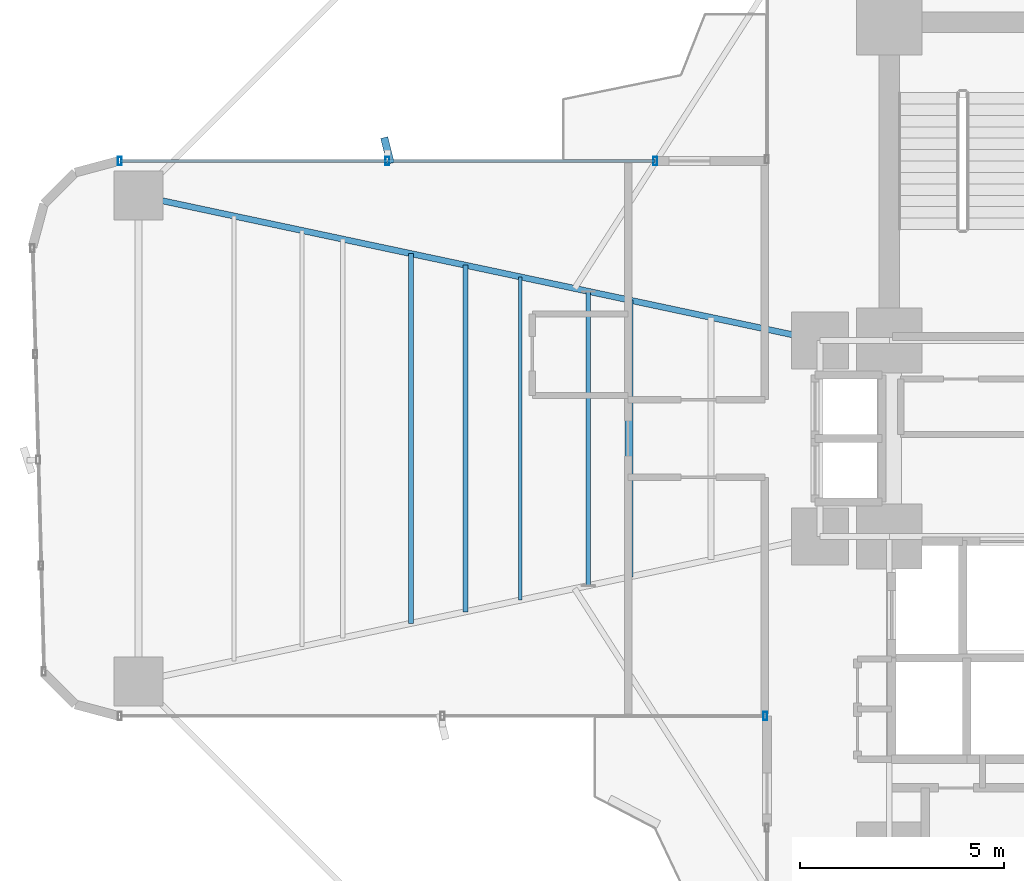
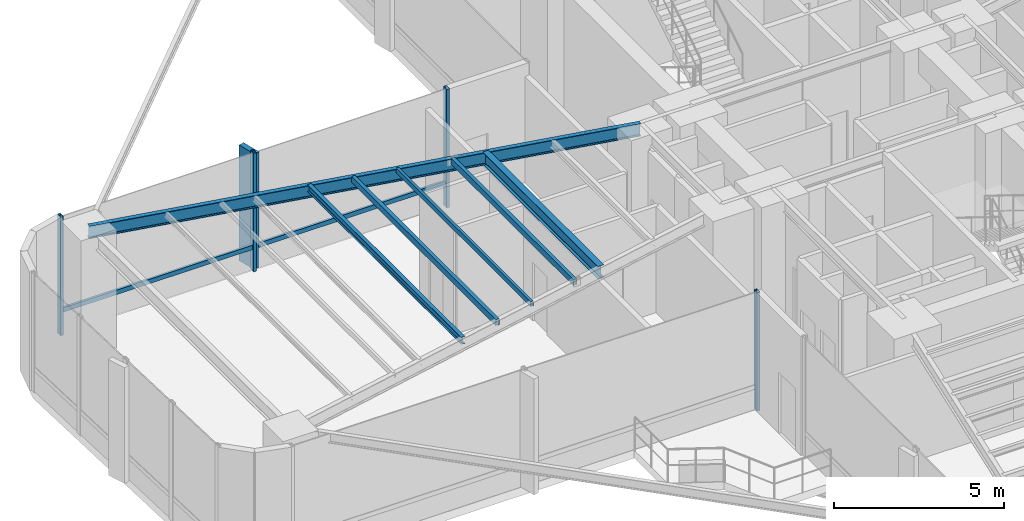
# One storey, part 6 of 20: 7 members, 6 beams, 2 elements without a shape of their own.
"""IFC4 building model written with IfcOpenShell, lengths in metres."""

from ifc_helpers import new_model, si_unit, direction, frame, origin, origin_2d, place, context, subcontext, project, spatial, rectangle, hollow_rectangle, i_section, extrude, source, transform, mapped, material, material_profile, profile_set, type_object, element, aggregate, save


model = new_model("IFC4")

# Units and contexts
model_context = context("Model", 3, precision=1e-05, world=origin(), true_north=direction((0.0, 1.0)))
body_context = subcontext(model_context, "Body", "Model", "MODEL_VIEW")
ifc_project = project(units=[si_unit("LENGTHUNIT", "METRE"), si_unit("AREAUNIT", "SQUARE_METRE"), si_unit("VOLUMEUNIT", "CUBIC_METRE"), si_unit("PLANEANGLEUNIT", "RADIAN"), si_unit("MASSUNIT", "GRAM", prefix="KILO")], contexts=[model_context])

# Site, building, storey
site_placement = place(None, origin())
site = spatial("IfcSite", under=ifc_project, at=site_placement, CompositionType="ELEMENT")
building_placement = place(site_placement, origin())
building = spatial("IfcBuilding", under=site, at=building_placement, Name="Sahyath Konkavel Grand Hotel", CompositionType="ELEMENT")
storey_placement = place(building_placement, frame((0.0, 0.0, 46.550048828125)))
storey = spatial("IfcBuildingStorey", under=building, at=storey_placement, Name="L12", CompositionType="ELEMENT", Elevation=46.550048828125)

# Beams
ifc_material_1 = material(Name="Steel E350", Category="steel")
ifc_material_profile_1 = material_profile(ifc_material_1, i_section(OverallWidth=0.14990234375, OverallDepth=0.449951171875, WebThickness=0.009521484375, FlangeThickness=0.017333984375, FilletRadius=0.014892578125, at=origin_2d()), Name="ISMB 450")
ifc_profile_set_1 = profile_set([ifc_material_profile_1], Name="Steel E350")
beam_type_1 = type_object("IfcBeamType", Name="BM-ISMB450", PredefinedType="BEAM", material=ifc_profile_set_1)
shared_shape_1 = source(origin(), body_context, "Body", "SweptSolid", [
    extrude(i_section(OverallWidth=0.14990234375, OverallDepth=0.449951171875, WebThickness=0.009521484375, FlangeThickness=0.017333984375, FilletRadius=0.014892578125, at=origin_2d()), origin(), (0.0, 0.0, 1.0), 17.072998046875),
])
beam_1_placement = place(storey_placement, frame((-5.5, 2.39990234375, 4.034912109375), z_axis=(-0.978143257225, 0.20793212437, 0.0), x_axis=(-0.20793212437, -0.978143257225, 0.0)))
element("IfcBeam", 1, at=beam_1_placement, inside=storey, type_object=beam_type_1, Name="L12 Cruciform Radial Girder WA", PredefinedType="BEAM", context=body_context, shape_type="MappedRepresentation", body=[
    mapped(shared_shape_1, transform((0.0, 0.0, 0.0), scale=1.0)),
])
ifc_material_profile_2 = material_profile(ifc_material_1, i_section(OverallWidth=0.199951171875, OverallDepth=0.449951171875, WebThickness=0.00927734375, FlangeThickness=0.015380859375, FilletRadius=0.01611328125, at=origin_2d()), Name="ISWB 450")
ifc_profile_set_2 = profile_set([ifc_material_profile_2], Name="Steel E350")
beam_type_2 = type_object("IfcBeamType", Name="BM-ISWB450", PredefinedType="BEAM", material=ifc_profile_set_2)
shared_shape_2 = source(origin(), body_context, "Body", "SweptSolid", [
    extrude(i_section(OverallWidth=0.199951171875, OverallDepth=0.449951171875, WebThickness=0.00927734375, FlangeThickness=0.015380859375, FilletRadius=0.01611328125, at=origin_2d()), origin(), (0.0, 0.0, 1.0), 6.7880859375),
])
beam_2_placement = place(storey_placement, frame((-10.176025390625, 3.39404296875, 4.034912109375), z_axis=(0.0, -1.0, 0.0), x_axis=(1.0, 0.0, 0.0)))
element("IfcBeam", 2, at=beam_2_placement, inside=storey, type_object=beam_type_2, Name="L12 Secondary Floor Beam W-1", PredefinedType="BEAM", context=body_context, shape_type="MappedRepresentation", body=[
    mapped(shared_shape_2, transform((0.0, 0.0, 0.0), scale=1.0)),
])
ifc_material_profile_3 = material_profile(ifc_material_1, hollow_rectangle(XDim=0.1201171875, YDim=0.219970703125, WallThickness=0.010009765625, at=origin_2d()), Name="RHS 220x120x10")
ifc_profile_set_3 = profile_set([ifc_material_profile_3], Name="Steel E350")
beam_type_3 = type_object("IfcBeamType", Name="BM-RHS220", PredefinedType="BEAM", material=ifc_profile_set_3)
shared_shape_3 = source(origin(), body_context, "Body", "SweptSolid", [
    extrude(hollow_rectangle(XDim=0.1201171875, YDim=0.219970703125, WallThickness=0.010009765625, at=origin_2d()), origin(), (0.0, 0.0, 1.0), 8.4921875),
])
beam_3_placement = place(storey_placement, frame((-14.18408203125, 4.24609375, 4.14990234375), z_axis=(0.0, -1.0, 0.0), x_axis=(1.0, 0.0, 0.0)))
element("IfcBeam", 3, at=beam_3_placement, inside=storey, type_object=beam_type_3, Name="L12 Secondary Floor Beam W-2", PredefinedType="BEAM", context=body_context, shape_type="MappedRepresentation", body=[
    mapped(shared_shape_3, transform((0.0, 0.0, 0.0), scale=1.0)),
])
shared_shape_4 = source(origin(), body_context, "Body", "SweptSolid", [
    extrude(hollow_rectangle(XDim=0.1201171875, YDim=0.219970703125, WallThickness=0.010009765625, at=origin_2d()), origin(), (0.0, 0.0, 1.0), 7.2138671875),
])
beam_4_placement = place(storey_placement, frame((-11.177978515625, 3.60693359375, 4.14990234375), z_axis=(0.0, -1.0, 0.0), x_axis=(1.0, 0.0, 0.0)))
element("IfcBeam", 4, at=beam_4_placement, inside=storey, type_object=beam_type_3, Name="L12 Composite Deck Sub-Beam W-2", PredefinedType="BEAM", context=body_context, shape_type="MappedRepresentation", body=[
    mapped(shared_shape_4, transform((0.0, 0.0, 0.0), scale=1.0)),
])
ifc_material_profile_4 = material_profile(ifc_material_1, hollow_rectangle(XDim=0.090087890625, YDim=0.179931640625, WallThickness=0.008056640625, at=origin_2d()), Name="RHS 180x90x8")
ifc_profile_set_4 = profile_set([ifc_material_profile_4], Name="Steel E350")
beam_type_4 = type_object("IfcBeamType", Name="BM-RHS180", PredefinedType="BEAM", material=ifc_profile_set_4)
shared_shape_5 = source(origin(), body_context, "Body", "SweptSolid", [
    extrude(hollow_rectangle(XDim=0.090087890625, YDim=0.179931640625, WallThickness=0.008056640625, at=origin_2d()), origin(), (0.0, 0.0, 1.0), 7.923828125),
])
beam_5_placement = place(storey_placement, frame((-12.847900390625, 3.9619140625, 4.169921875), z_axis=(0.0, -1.0, 0.0), x_axis=(1.0, 0.0, 0.0)))
element("IfcBeam", 5, at=beam_5_placement, inside=storey, type_object=beam_type_4, Name="L12 Composite Deck Sub-Beam W-3", PredefinedType="BEAM", context=body_context, shape_type="MappedRepresentation", body=[
    mapped(shared_shape_5, transform((0.0, 0.0, 0.0), scale=1.0)),
])
ifc_material_profile_5 = material_profile(ifc_material_1, i_section(OverallWidth=0.125, OverallDepth=0.25, WebThickness=0.0068359375, FlangeThickness=0.012451171875, FilletRadius=0.012939453125, at=origin_2d()), Name="ISMB 250")
ifc_profile_set_5 = profile_set([ifc_material_profile_5], Name="Steel E350")
beam_type_5 = type_object("IfcBeamType", Name="BM-ISMB250", PredefinedType="BEAM", material=ifc_profile_set_5)
shared_shape_6 = source(origin(), body_context, "Body", "SweptSolid", [
    extrude(i_section(OverallWidth=0.125, OverallDepth=0.25, WebThickness=0.0068359375, FlangeThickness=0.012451171875, FilletRadius=0.012939453125, at=origin_2d()), origin(), (0.0, 0.0, 1.0), 9.06005859375),
])
beam_6_placement = place(storey_placement, frame((-15.52001953125, 4.530029296875, 4.135009765625), z_axis=(0.0, -1.0, 0.0), x_axis=(1.0, 0.0, 0.0)))
element("IfcBeam", 6, at=beam_6_placement, inside=storey, type_object=beam_type_5, Name="L12 Composite Deck Sub-Beam W-4", PredefinedType="BEAM", context=body_context, shape_type="MappedRepresentation", body=[
    mapped(shared_shape_6, transform((0.0, 0.0, 0.0), scale=1.0)),
])

# Curtain wall, members
ifc_material_2 = material(Name="Anodised Bronze Aluminium & Low-E Glazing", Category="aluminium")
curtain_wall_type = type_object("IfcCurtainWallType", Name="CW-SKYLOBBY", PredefinedType="NOTDEFINED", material=ifc_material_2)
curtain_wall_1_placement = place(storey_placement, origin())
curtain_wall_1 = element("IfcCurtainWall", 7, at=curtain_wall_1_placement, inside=storey, type_object=curtain_wall_type, Name="L12 Unitised Curtain Wall F16", PredefinedType="NOTDEFINED")
ifc_material_3 = material(Name="Anodised Bronze Aluminium", Category="aluminium")
ifc_material_profile_6 = material_profile(ifc_material_3, hollow_rectangle(XDim=0.10009765625, YDim=0.199951171875, WallThickness=0.008056640625, at=origin_2d()), Name="RHS 200x100x8")
ifc_profile_set_6 = profile_set([ifc_material_profile_6], Name="Anodised Bronze Aluminium")
member_type_1 = type_object("IfcMemberType", Name="CW-MUL-200", PredefinedType="MULLION", material=ifc_profile_set_6)
shared_shape_7 = source(origin(), body_context, "Body", "SweptSolid", [
    extrude(hollow_rectangle(XDim=0.10009765625, YDim=0.199951171875, WallThickness=0.008056640625, at=origin_2d()), origin(), (0.0, 0.0, 1.0), 4.260009765625),
])
member_1_placement = place(storey_placement, frame((-9.5400390625, 6.800048828125, 0.0), z_axis=(0.0, 0.0, 1.0), x_axis=(1.0, 0.0, 0.0)))
member_1 = element("IfcMember", 8, at=member_1_placement, type_object=member_type_1, Name="L12 Curtain Wall Mullion F16-0", PredefinedType="MULLION", context=body_context, shape_type="MappedRepresentation", body=[
    mapped(shared_shape_7, transform((0.0, 0.0, 0.0), scale=1.0)),
])
member_2_placement = place(storey_placement, frame((-16.10009765625, 6.800048828125, 0.0), z_axis=(0.0, 0.0, 1.0), x_axis=(1.0, 0.0, 0.0)))
member_2 = element("IfcMember", 9, at=member_2_placement, type_object=member_type_1, Name="L12 Curtain Wall Mullion F16-1", PredefinedType="MULLION", context=body_context, shape_type="MappedRepresentation", body=[
    mapped(shared_shape_7, transform((0.0, 0.0, 0.0), scale=1.0)),
])
member_3_placement = place(storey_placement, frame((-22.659912109375, 6.800048828125, 0.0), z_axis=(0.0, 0.0, 1.0), x_axis=(1.0, 0.0, 0.0)))
member_3 = element("IfcMember", 10, at=member_3_placement, type_object=member_type_1, Name="L12 Curtain Wall Mullion F16-2", PredefinedType="MULLION", context=body_context, shape_type="MappedRepresentation", body=[
    mapped(shared_shape_7, transform((0.0, 0.0, 0.0), scale=1.0)),
])

# Curtain wall, member
curtain_wall_2_placement = place(storey_placement, origin())
curtain_wall_2 = element("IfcCurtainWall", 11, at=curtain_wall_2_placement, inside=storey, type_object=curtain_wall_type, Name="L12 Unitised Curtain Wall F23", PredefinedType="NOTDEFINED")
member_4_placement = place(storey_placement, frame((-6.840087890625, -6.800048828125, 0.0), z_axis=(0.0, 0.0, 1.0), x_axis=(1.0, 0.0, 0.0)))
member_4 = element("IfcMember", 12, at=member_4_placement, type_object=member_type_1, Name="L12 Curtain Wall Mullion F23-2", PredefinedType="MULLION", context=body_context, shape_type="MappedRepresentation", body=[
    mapped(shared_shape_7, transform((0.0, 0.0, 0.0), scale=1.0)),
])
aggregate(curtain_wall_2, [member_4])

# Member
ifc_material_profile_7 = material_profile(ifc_material_3, hollow_rectangle(XDim=0.080078125, YDim=0.159912109375, WallThickness=0.006103515625, at=origin_2d()), Name="RHS 160x80x6")
ifc_profile_set_7 = profile_set([ifc_material_profile_7], Name="Anodised Bronze Aluminium")
member_type_2 = type_object("IfcMemberType", Name="CW-TRN-160", PredefinedType="USERDEFINED", material=ifc_profile_set_7)
shared_shape_8 = source(origin(), body_context, "Body", "SweptSolid", [
    extrude(hollow_rectangle(XDim=0.080078125, YDim=0.159912109375, WallThickness=0.006103515625, at=origin_2d()), origin(), (0.0, 0.0, 1.0), 6.56005859375),
])
member_5_placement = place(storey_placement, frame((-9.5400390625, 6.800048828125, 0.849853515625), z_axis=(-1.0, 0.0, 0.0), x_axis=(0.0, -1.0, 0.0)))
member_5 = element("IfcMember", 13, at=member_5_placement, type_object=member_type_2, Name="L12 Curtain Wall Transom F16-0-spandrel", ObjectType="TRANSOM", PredefinedType="USERDEFINED", context=body_context, shape_type="MappedRepresentation", body=[
    mapped(shared_shape_8, transform((0.0, 0.0, 0.0), scale=1.0)),
])

shared_shape_9 = source(origin(), body_context, "Body", "SweptSolid", [
    extrude(hollow_rectangle(XDim=0.080078125, YDim=0.159912109375, WallThickness=0.006103515625, at=origin_2d()), origin(), (0.0, 0.0, 1.0), 6.559814453125),
])
member_6_placement = place(storey_placement, frame((-16.10009765625, 6.800048828125, 0.849853515625), z_axis=(-1.0, 0.0, 0.0), x_axis=(0.0, -1.0, 0.0)))
member_6 = element("IfcMember", 14, at=member_6_placement, type_object=member_type_2, Name="L12 Curtain Wall Transom F16-1-spandrel", ObjectType="TRANSOM", PredefinedType="USERDEFINED", context=body_context, shape_type="MappedRepresentation", body=[
    mapped(shared_shape_9, transform((0.0, 0.0, 0.0), scale=1.0)),
])

ifc_material_4 = material(Name="Warm Buff Sandstone Cladding on Concrete C50/60", Category="masonry")
ifc_material_profile_8 = material_profile(ifc_material_4, rectangle(XDim=0.179931640625, YDim=0.64990234375, at=origin_2d()), Name="FIN 180x650")
ifc_profile_set_8 = profile_set([ifc_material_profile_8], Name="Warm Buff Sandstone Cladding on Concrete C50/60")
member_type_3 = type_object("IfcMemberType", Name="FIN-SANDSTONE-650", PredefinedType="MULLION", material=ifc_profile_set_8)
shared_shape_10 = source(origin(), body_context, "Body", "SweptSolid", [
    extrude(rectangle(XDim=0.179931640625, YDim=0.64990234375, at=origin_2d()), origin(), (0.0, 0.0, 1.0), 4.159912109375),
])
member_7_placement = place(storey_placement, frame((-16.10009765625, 7.06005859375, 0.050048828125), z_axis=(0.0, 0.0, 1.0), x_axis=(0.970084240161, 0.242768546132, 0.0)))
member_7 = element("IfcMember", 15, at=member_7_placement, type_object=member_type_3, Name="L12 Sandstone Vertical Solar Fin FIN F16-1", PredefinedType="MULLION", context=body_context, shape_type="MappedRepresentation", body=[
    mapped(shared_shape_10, transform((0.0, 0.0, 0.0), scale=1.0)),
])

aggregate(curtain_wall_1, [member_1, member_2, member_7, member_3, member_5, member_6])

save(model, "model.ifc")
